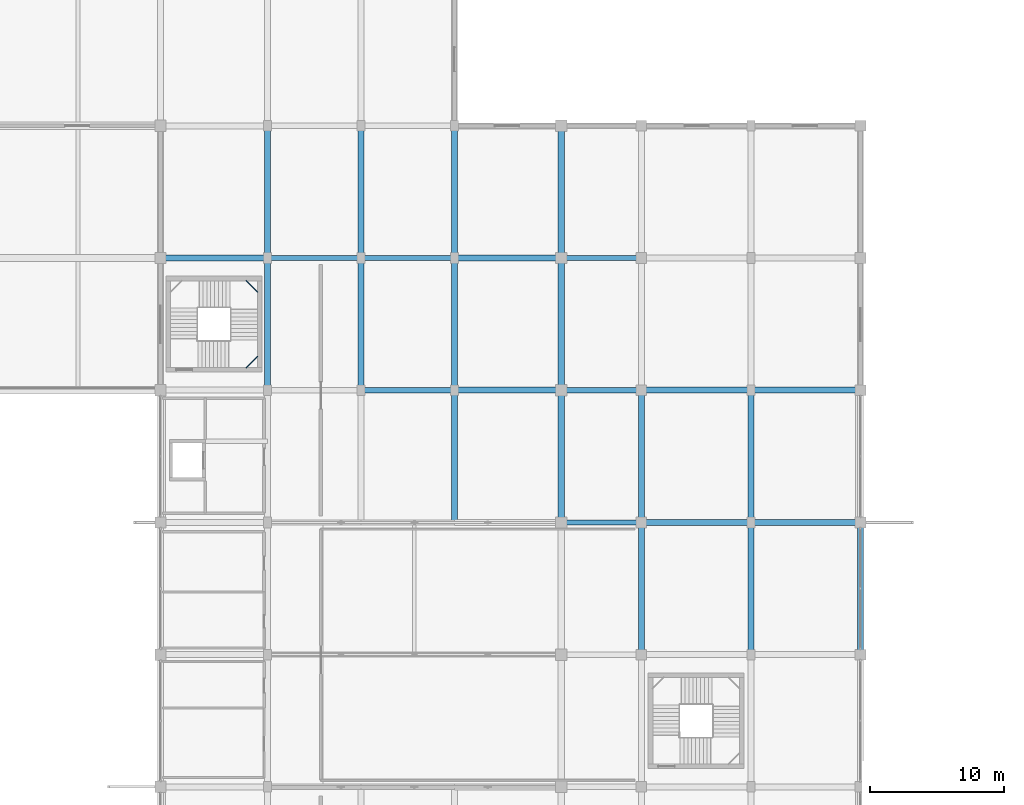
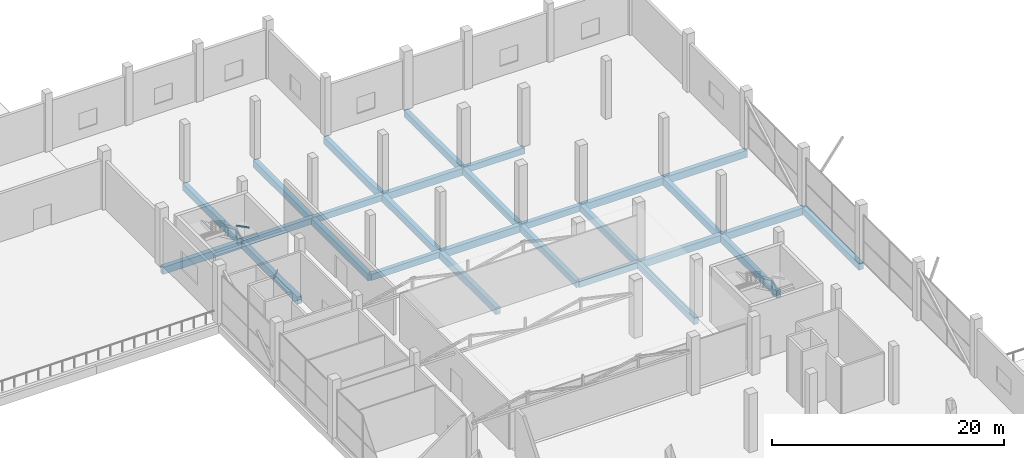
# One storey, part 20 of 46: 30 beams.
"""IFC4 building model written with IfcOpenShell, lengths in metres."""

from ifc_helpers import new_model, si_unit, direction, frame, origin, origin_2d, place, context, subcontext, project, spatial, rectangle, hollow_rectangle, extrude, material, material_profile, profile_set, type_object, element, save


model = new_model("IFC4")

# Units and contexts
model_context = context("Model", 3, precision=1e-05, world=origin(), true_north=direction((0.0, 1.0)))
body_context = subcontext(model_context, "Body", "Model", "MODEL_VIEW")
ifc_project = project(units=[si_unit("LENGTHUNIT", "METRE"), si_unit("AREAUNIT", "SQUARE_METRE"), si_unit("VOLUMEUNIT", "CUBIC_METRE"), si_unit("PLANEANGLEUNIT", "RADIAN"), si_unit("MASSUNIT", "GRAM", prefix="KILO")], contexts=[model_context])

# Site, building, storey
site_placement = place(None, origin())
site = spatial("IfcSite", under=ifc_project, at=site_placement, CompositionType="ELEMENT")
building_placement = place(site_placement, origin())
building = spatial("IfcBuilding", under=site, at=building_placement, Name="Sillaruma Civic Art Gallery", CompositionType="ELEMENT")
storey_placement = place(building_placement, frame((0.0, 0.0, 16.320068359375)))
storey = spatial("IfcBuildingStorey", under=building, at=storey_placement, Name="L03", CompositionType="ELEMENT", Elevation=16.320068359375)

# Beams
ifc_material_1 = material(Name="Concrete H35 (35 MPa)", Category="concrete")
ifc_material_profile_1 = material_profile(ifc_material_1, rectangle(XDim=0.39990234375, YDim=0.64990234375, at=origin_2d()), Name="RCB400x650")
ifc_profile_set_1 = profile_set([ifc_material_profile_1], Name="Concrete H35 (35 MPa)")
beam_type_1 = type_object("IfcBeamType", Name="BM-BEAM-RCB400x650", PredefinedType="BEAM", material=ifc_profile_set_1)
beam_1_placement = place(storey_placement, frame((92.0, 69.300048828125, -0.60498046875), z_axis=(1.0, 0.0, 0.0), x_axis=(0.0, 1.0, 0.0)))
element("IfcBeam", 1, at=beam_1_placement, inside=storey, type_object=beam_type_1, Name="Beam BM-05 (L02:8:K-L)", PredefinedType="BEAM", context=body_context, shape_type="SweptSolid", body=[
    extrude(rectangle(XDim=0.39990234375, YDim=0.64990234375, at=origin_2d()), origin(), (0.0, 0.0, 1.0), 6.0),
])
beam_2_placement = place(storey_placement, frame((77.0, 79.199951171875, -0.60498046875), z_axis=(1.0, 0.0, 0.0), x_axis=(0.0, 1.0, 0.0)))
element("IfcBeam", 2, at=beam_2_placement, inside=storey, type_object=beam_type_1, Name="Beam BM-05 (L02:9:H-J)", PredefinedType="BEAM", context=body_context, shape_type="SweptSolid", body=[
    extrude(rectangle(XDim=0.39990234375, YDim=0.64990234375, at=origin_2d()), origin(), (0.0, 0.0, 1.0), 7.0),
])
beam_3_placement = place(storey_placement, frame((92.0, 79.199951171875, -0.60498046875), z_axis=(1.0, 0.0, 0.0), x_axis=(0.0, 1.0, 0.0)))
element("IfcBeam", 3, at=beam_3_placement, inside=storey, type_object=beam_type_1, Name="Beam BM-05 (L02:9:K-L)", PredefinedType="BEAM", context=body_context, shape_type="SweptSolid", body=[
    extrude(rectangle(XDim=0.39990234375, YDim=0.64990234375, at=origin_2d()), origin(), (0.0, 0.0, 1.0), 6.0),
])
for number, where, z_axis, x_axis, name in (
    (4, (70.0, 89.10009765625, -0.60498046875), (1.0, 0.0, 0.0), (0.0, 1.0, 0.0), "Beam BM-05 (L02:10:G-H)"),
    (5, (77.0, 89.10009765625, -0.60498046875), (1.0, 0.0, 0.0), (0.0, 1.0, 0.0), "Beam BM-05 (L02:10:H-J)"),
):
    element("IfcBeam", number, at=place(storey_placement, frame(where, z_axis=z_axis, x_axis=x_axis)), inside=storey, type_object=beam_type_1, Name=name, PredefinedType="BEAM", context=body_context, shape_type="SweptSolid", body=[
        extrude(rectangle(XDim=0.39990234375, YDim=0.64990234375, at=origin_2d()), origin(), (0.0, 0.0, 1.0), 7.0),
    ])
beam_4_placement = place(storey_placement, frame((92.0, 89.10009765625, -0.60498046875), z_axis=(1.0, 0.0, 0.0), x_axis=(0.0, 1.0, 0.0)))
element("IfcBeam", 6, at=beam_4_placement, inside=storey, type_object=beam_type_1, Name="Beam BM-05 (L02:10:K-L)", PredefinedType="BEAM", context=body_context, shape_type="SweptSolid", body=[
    extrude(rectangle(XDim=0.39990234375, YDim=0.64990234375, at=origin_2d()), origin(), (0.0, 0.0, 1.0), 6.0),
])
ifc_material_2 = material(Name="Concrete H40 (40 MPa)", Category="concrete")
ifc_material_profile_2 = material_profile(ifc_material_2, rectangle(XDim=0.449951171875, YDim=0.75, at=origin_2d()), Name="RCB450x750")
ifc_profile_set_2 = profile_set([ifc_material_profile_2], Name="Concrete H40 (40 MPa)")
beam_type_2 = type_object("IfcBeamType", Name="BM-BEAM-RCB450x750", PredefinedType="BEAM", material=ifc_profile_set_2)
for number, where, z_axis, x_axis, name in (
    (7, (98.0, 69.300048828125, -0.655029296875), (1.0, 0.0, 0.0), (0.0, 1.0, 0.0), "Beam BM-03 (L02:8:L-M)"),
    (8, (106.199951171875, 69.300048828125, -0.655029296875), (1.0, 0.0, 0.0), (0.0, 1.0, 0.0), "Beam BM-03 (L02:8:M-N)"),
):
    element("IfcBeam", number, at=place(storey_placement, frame(where, z_axis=z_axis, x_axis=x_axis)), inside=storey, type_object=beam_type_2, Name=name, PredefinedType="BEAM", context=body_context, shape_type="SweptSolid", body=[
        extrude(rectangle(XDim=0.449951171875, YDim=0.75, at=origin_2d()), origin(), (0.0, 0.0, 1.0), 8.199951171875),
    ])
beam_5_placement = place(storey_placement, frame((84.0, 79.199951171875, -0.655029296875), z_axis=(1.0, 0.0, 0.0), x_axis=(0.0, 1.0, 0.0)))
element("IfcBeam", 9, at=beam_5_placement, inside=storey, type_object=beam_type_2, Name="Beam BM-03 (L02:9:J-K)", PredefinedType="BEAM", context=body_context, shape_type="SweptSolid", body=[
    extrude(rectangle(XDim=0.449951171875, YDim=0.75, at=origin_2d()), origin(), (0.0, 0.0, 1.0), 8.0),
])
for number, where, z_axis, x_axis, name in (
    (10, (98.0, 79.199951171875, -0.655029296875), (1.0, 0.0, 0.0), (0.0, 1.0, 0.0), "Beam BM-03 (L02:9:L-M)"),
    (11, (106.199951171875, 79.199951171875, -0.655029296875), (1.0, 0.0, 0.0), (0.0, 1.0, 0.0), "Beam BM-03 (L02:9:M-N)"),
):
    element("IfcBeam", number, at=place(storey_placement, frame(where, z_axis=z_axis, x_axis=x_axis)), inside=storey, type_object=beam_type_2, Name=name, PredefinedType="BEAM", context=body_context, shape_type="SweptSolid", body=[
        extrude(rectangle(XDim=0.449951171875, YDim=0.75, at=origin_2d()), origin(), (0.0, 0.0, 1.0), 8.199951171875),
    ])
for number, where, z_axis, x_axis, name in (
    (12, (62.0, 89.10009765625, -0.655029296875), (1.0, 0.0, 0.0), (0.0, 1.0, 0.0), "Beam BM-03 (L02:10:F-G)"),
    (13, (84.0, 89.10009765625, -0.655029296875), (1.0, 0.0, 0.0), (0.0, 1.0, 0.0), "Beam BM-03 (L02:10:J-K)"),
):
    element("IfcBeam", number, at=place(storey_placement, frame(where, z_axis=z_axis, x_axis=x_axis)), inside=storey, type_object=beam_type_2, Name=name, PredefinedType="BEAM", context=body_context, shape_type="SweptSolid", body=[
        extrude(rectangle(XDim=0.449951171875, YDim=0.75, at=origin_2d()), origin(), (0.0, 0.0, 1.0), 8.0),
    ])
beam_6_placement = place(storey_placement, frame((70.0, 79.199951171875, -0.655029296875), z_axis=(0.0, 1.0, 0.0), x_axis=(-1.0, 0.0, 0.0)))
element("IfcBeam", 14, at=beam_6_placement, inside=storey, type_object=beam_type_2, Name="Beam BM-03 (L02:G:9-10)", PredefinedType="BEAM", context=body_context, shape_type="SweptSolid", body=[
    extrude(rectangle(XDim=0.449951171875, YDim=0.75, at=origin_2d()), origin(), (0.0, 0.0, 1.0), 9.900146484375),
])
beam_7_placement = place(storey_placement, frame((70.0, 89.10009765625, -0.655029296875), z_axis=(0.0, 1.0, 0.0), x_axis=(-1.0, 0.0, 0.0)))
element("IfcBeam", 15, at=beam_7_placement, inside=storey, type_object=beam_type_2, Name="Beam BM-03 (L02:G:10-11)", PredefinedType="BEAM", context=body_context, shape_type="SweptSolid", body=[
    extrude(rectangle(XDim=0.449951171875, YDim=0.75, at=origin_2d()), origin(), (0.0, 0.0, 1.0), 9.89990234375),
])
beam_8_placement = place(storey_placement, frame((77.0, 79.199951171875, -0.655029296875), z_axis=(0.0, 1.0, 0.0), x_axis=(-1.0, 0.0, 0.0)))
element("IfcBeam", 16, at=beam_8_placement, inside=storey, type_object=beam_type_2, Name="Beam BM-03 (L02:H:9-10)", PredefinedType="BEAM", context=body_context, shape_type="SweptSolid", body=[
    extrude(rectangle(XDim=0.449951171875, YDim=0.75, at=origin_2d()), origin(), (0.0, 0.0, 1.0), 9.900146484375),
])
for number, where, z_axis, x_axis, name in (
    (17, (77.0, 89.10009765625, -0.655029296875), (0.0, 1.0, 0.0), (-1.0, 0.0, 0.0), "Beam BM-03 (L02:H:10-11)"),
    (18, (84.0, 69.300048828125, -0.655029296875), (0.0, 1.0, 0.0), (-1.0, 0.0, 0.0), "Beam BM-03 (L02:J:8-9)"),
):
    element("IfcBeam", number, at=place(storey_placement, frame(where, z_axis=z_axis, x_axis=x_axis)), inside=storey, type_object=beam_type_2, Name=name, PredefinedType="BEAM", context=body_context, shape_type="SweptSolid", body=[
        extrude(rectangle(XDim=0.449951171875, YDim=0.75, at=origin_2d()), origin(), (0.0, 0.0, 1.0), 9.89990234375),
    ])
beam_9_placement = place(storey_placement, frame((84.0, 79.199951171875, -0.655029296875), z_axis=(0.0, 1.0, 0.0), x_axis=(-1.0, 0.0, 0.0)))
element("IfcBeam", 19, at=beam_9_placement, inside=storey, type_object=beam_type_2, Name="Beam BM-03 (L02:J:9-10)", PredefinedType="BEAM", context=body_context, shape_type="SweptSolid", body=[
    extrude(rectangle(XDim=0.449951171875, YDim=0.75, at=origin_2d()), origin(), (0.0, 0.0, 1.0), 9.900146484375),
])
beam_10_placement = place(storey_placement, frame((84.0, 89.10009765625, -0.655029296875), z_axis=(0.0, 1.0, 0.0), x_axis=(-1.0, 0.0, 0.0)))
element("IfcBeam", 20, at=beam_10_placement, inside=storey, type_object=beam_type_2, Name="Beam BM-03 (L02:J:10-11)", PredefinedType="BEAM", context=body_context, shape_type="SweptSolid", body=[
    extrude(rectangle(XDim=0.449951171875, YDim=0.75, at=origin_2d()), origin(), (0.0, 0.0, 1.0), 9.89990234375),
])
beam_11_placement = place(storey_placement, frame((106.199951171875, 59.39990234375, -0.655029296875), z_axis=(0.0, 1.0, 0.0), x_axis=(-1.0, 0.0, 0.0)))
element("IfcBeam", 21, at=beam_11_placement, inside=storey, type_object=beam_type_2, Name="Beam BM-03 (L02:M:7-8)", PredefinedType="BEAM", context=body_context, shape_type="SweptSolid", body=[
    extrude(rectangle(XDim=0.449951171875, YDim=0.75, at=origin_2d()), origin(), (0.0, 0.0, 1.0), 9.900146484375),
])
beam_12_placement = place(storey_placement, frame((106.199951171875, 69.300048828125, -0.655029296875), z_axis=(0.0, 1.0, 0.0), x_axis=(-1.0, 0.0, 0.0)))
element("IfcBeam", 22, at=beam_12_placement, inside=storey, type_object=beam_type_2, Name="Beam BM-03 (L02:M:8-9)", PredefinedType="BEAM", context=body_context, shape_type="SweptSolid", body=[
    extrude(rectangle(XDim=0.449951171875, YDim=0.75, at=origin_2d()), origin(), (0.0, 0.0, 1.0), 9.89990234375),
])
ifc_material_3 = material(Name="Structural Steel ASTM A500 Gr.C", Category="steel")
ifc_material_profile_3 = material_profile(ifc_material_3, hollow_rectangle(XDim=0.080078125, YDim=0.159912109375, WallThickness=0.008056640625, InnerFilletRadius=0.008056640625, OuterFilletRadius=0.01611328125, at=origin_2d()), Name="HSS160x80x8")
ifc_profile_set_3 = profile_set([ifc_material_profile_3], Name="Structural Steel ASTM A500 Gr.C")
beam_type_3 = type_object("IfcBeamType", Name="BM-LND-HSS160", PredefinedType="BEAM", material=ifc_profile_set_3)
for number, where, z_axis, x_axis, name in (
    (23, (68.389892578125, 80.8701171875, 1.25), (0.707203758046, 0.707009791025, 0.0), (-0.707009791025, 0.707203758046, 0.0), "Stair Corner Landing Trimmer Beam (ST-02-L03-1)"),
    (24, (68.389892578125, 87.429931640625, 2.780029296875), (0.707203758046, -0.707009791025, 0.0), (0.707009791025, 0.707203758046, 0.0), "Stair Corner Landing Trimmer Beam (ST-02-L03-2)"),
):
    element("IfcBeam", number, at=place(storey_placement, frame(where, z_axis=z_axis, x_axis=x_axis)), inside=storey, type_object=beam_type_3, Name=name, PredefinedType="BEAM", context=body_context, shape_type="SweptSolid", body=[
        extrude(hollow_rectangle(XDim=0.080078125, YDim=0.159912109375, WallThickness=0.008056640625, InnerFilletRadius=0.008056640625, OuterFilletRadius=0.01611328125, at=origin_2d()), origin(), (0.0, 0.0, 1.0), 1.2587890625),
    ])
ifc_material_profile_4 = material_profile(ifc_material_1, rectangle(XDim=0.449951171875, YDim=0.699951171875, at=origin_2d()), Name="RCB450x700")
ifc_profile_set_4 = profile_set([ifc_material_profile_4], Name="Concrete H35 (35 MPa)")
beam_type_4 = type_object("IfcBeamType", Name="BM-SPANDREL-RCB450x700", PredefinedType="SPANDREL", material=ifc_profile_set_4)
beam_13_placement = place(storey_placement, frame((92.0, 69.300048828125, -0.630126953125), z_axis=(0.0, 1.0, 0.0), x_axis=(-1.0, 0.0, 0.0)))
element("IfcBeam", 25, at=beam_13_placement, inside=storey, type_object=beam_type_4, Name="Beam BS-03 (L02:K:8-9)", PredefinedType="SPANDREL", context=body_context, shape_type="SweptSolid", body=[
    extrude(rectangle(XDim=0.449951171875, YDim=0.699951171875, at=origin_2d()), origin(), (0.0, 0.0, 1.0), 9.89990234375),
])
beam_14_placement = place(storey_placement, frame((92.0, 79.199951171875, -0.630126953125), z_axis=(0.0, 1.0, 0.0), x_axis=(-1.0, 0.0, 0.0)))
element("IfcBeam", 26, at=beam_14_placement, inside=storey, type_object=beam_type_4, Name="Beam BS-03 (L02:K:9-10)", PredefinedType="SPANDREL", context=body_context, shape_type="SweptSolid", body=[
    extrude(rectangle(XDim=0.449951171875, YDim=0.699951171875, at=origin_2d()), origin(), (0.0, 0.0, 1.0), 9.900146484375),
])
beam_15_placement = place(storey_placement, frame((92.0, 89.10009765625, -0.630126953125), z_axis=(0.0, 1.0, 0.0), x_axis=(-1.0, 0.0, 0.0)))
element("IfcBeam", 27, at=beam_15_placement, inside=storey, type_object=beam_type_4, Name="Beam BS-03 (L02:K:10-11)", PredefinedType="SPANDREL", context=body_context, shape_type="SweptSolid", body=[
    extrude(rectangle(XDim=0.449951171875, YDim=0.699951171875, at=origin_2d()), origin(), (0.0, 0.0, 1.0), 9.89990234375),
])
beam_16_placement = place(storey_placement, frame((98.0, 59.39990234375, -0.630126953125), z_axis=(0.0, 1.0, 0.0), x_axis=(-1.0, 0.0, 0.0)))
element("IfcBeam", 28, at=beam_16_placement, inside=storey, type_object=beam_type_4, Name="Beam BS-03 (L02:L:7-8)", PredefinedType="SPANDREL", context=body_context, shape_type="SweptSolid", body=[
    extrude(rectangle(XDim=0.449951171875, YDim=0.699951171875, at=origin_2d()), origin(), (0.0, 0.0, 1.0), 9.900146484375),
])
beam_17_placement = place(storey_placement, frame((98.0, 69.300048828125, -0.630126953125), z_axis=(0.0, 1.0, 0.0), x_axis=(-1.0, 0.0, 0.0)))
element("IfcBeam", 29, at=beam_17_placement, inside=storey, type_object=beam_type_4, Name="Beam BS-03 (L02:L:8-9)", PredefinedType="SPANDREL", context=body_context, shape_type="SweptSolid", body=[
    extrude(rectangle(XDim=0.449951171875, YDim=0.699951171875, at=origin_2d()), origin(), (0.0, 0.0, 1.0), 9.89990234375),
])
beam_18_placement = place(storey_placement, frame((114.39990234375, 59.39990234375, -0.630126953125), z_axis=(0.0, 1.0, 0.0), x_axis=(-1.0, 0.0, 0.0)))
element("IfcBeam", 30, at=beam_18_placement, inside=storey, type_object=beam_type_4, Name="Beam BS-03 (L02:N:7-8)", PredefinedType="SPANDREL", context=body_context, shape_type="SweptSolid", body=[
    extrude(rectangle(XDim=0.449951171875, YDim=0.699951171875, at=origin_2d()), origin(), (0.0, 0.0, 1.0), 9.900146484375),
])

save(model, "model.ifc")
